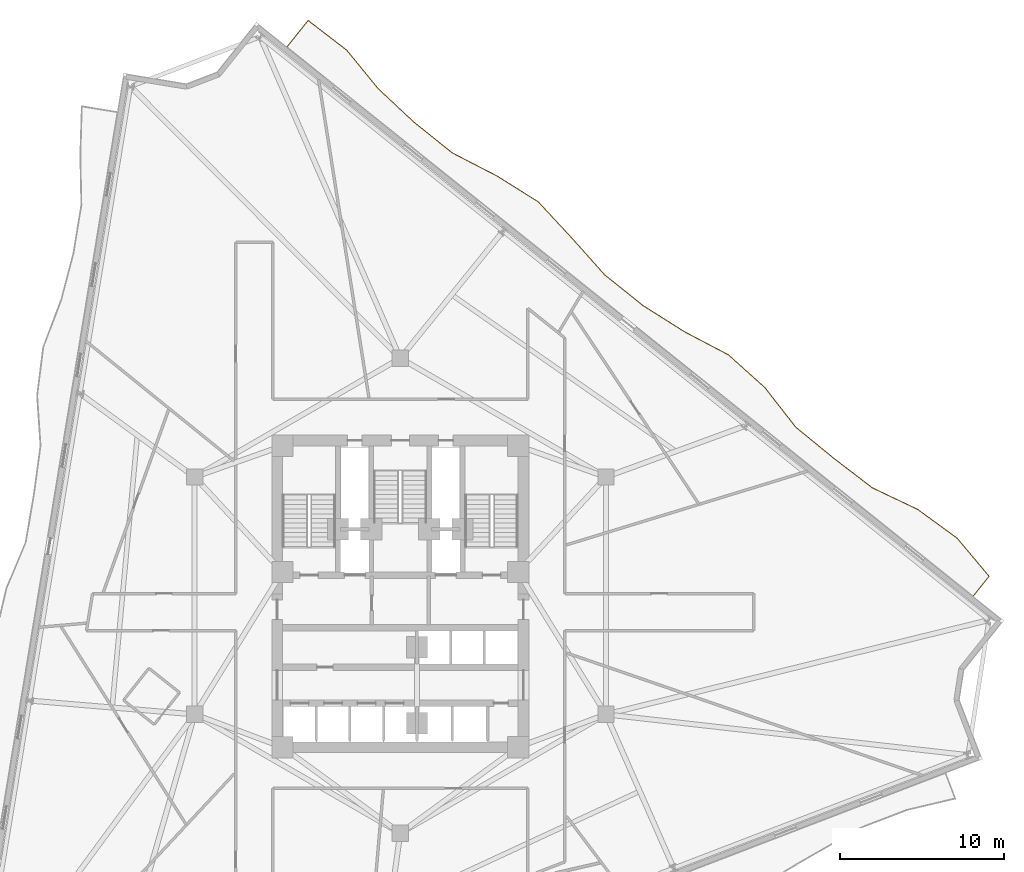
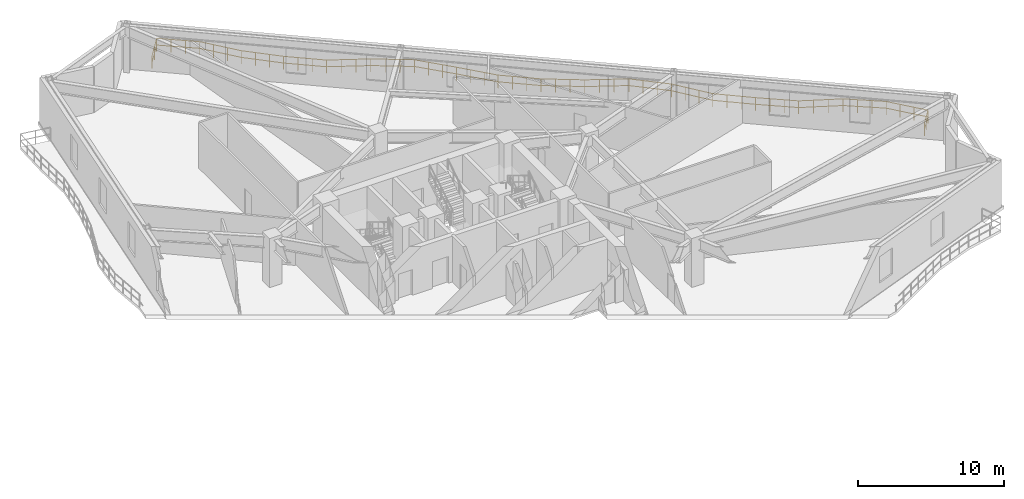
# One storey, part 11 of 11: 1 railing.
"""IFC4 building model written with IfcOpenShell, lengths in metres."""

from ifc_helpers import new_model, si_unit, direction, frame, origin, origin_2d, place, context, subcontext, project, spatial, rectangle, extrude, material, type_object, element, save


model = new_model("IFC4")

# Units and contexts
model_context = context("Model", 3, precision=1e-05, world=origin(), true_north=direction((0.0, 1.0)))
body_context = subcontext(model_context, "Body", "Model", "MODEL_VIEW")
ifc_project = project(units=[si_unit("LENGTHUNIT", "METRE"), si_unit("AREAUNIT", "SQUARE_METRE"), si_unit("VOLUMEUNIT", "CUBIC_METRE"), si_unit("PLANEANGLEUNIT", "RADIAN"), si_unit("MASSUNIT", "GRAM", prefix="KILO")], contexts=[model_context])

# Site, building, storey
site_placement = place(None, origin())
site = spatial("IfcSite", under=ifc_project, at=site_placement, CompositionType="ELEMENT")
building_placement = place(site_placement, origin())
building = spatial("IfcBuilding", under=site, at=building_placement, Name="Apsidion Concourse Tower", CompositionType="ELEMENT")
storey_placement = place(building_placement, frame((0.0, 0.0, 148.60009765625)))
storey = spatial("IfcBuildingStorey", under=building, at=storey_placement, Name="L34", CompositionType="ELEMENT", Elevation=148.60009765625)

# Railing
ifc_material = material(Name="Brushed stainless steel 316", Category="steel")
railing_type = type_object("IfcRailingType", Name="RL-BAL-1120", PredefinedType="BALUSTRADE", material=ifc_material)
railing_placement = place(storey_placement, frame((-6.919189453125, 33.529541015625, 0.0)))
element("IfcRailing", 1, at=railing_placement, inside=storey, type_object=railing_type, Name="L34 Face 3 Rippling Balcony Balustrade", PredefinedType="BALUSTRADE", context=body_context, shape_type="SweptSolid", body=[
    extrude(rectangle(XDim=0.048095703125, YDim=0.048095703125, at=origin_2d()), frame((0.0, 0.0, 1.09619140625), z_axis=(0.62494053656, 0.780672354938, 0.0), x_axis=(-0.780672354938, 0.62494053656, 0.0)), (0.0, 0.0, 1.0), 2.0615234375),
    extrude(rectangle(XDim=0.048095703125, YDim=0.048095703125, at=origin_2d()), frame((0.0, 0.0, 0.5361328125), z_axis=(0.62494053656, 0.780672354938, 0.0), x_axis=(-0.780672354938, 0.62494053656, 0.0)), (0.0, 0.0, 1.0), 2.0615234375),
    extrude(rectangle(XDim=0.048095703125, YDim=0.048095703125, at=origin_2d()), frame((1.288330078125, 1.609375, 1.09619140625), z_axis=(0.792435348239, -0.609955915507, 0.0), x_axis=(0.609955915507, 0.792435348239, 0.0)), (0.0, 0.0, 1.0), 2.983642578125),
    extrude(rectangle(XDim=0.048095703125, YDim=0.048095703125, at=origin_2d()), frame((1.288330078125, 1.609375, 0.5361328125), z_axis=(0.792435348239, -0.609955915507, 0.0), x_axis=(0.609955915507, 0.792435348239, 0.0)), (0.0, 0.0, 1.0), 2.983642578125),
    extrude(rectangle(XDim=0.048095703125, YDim=0.048095703125, at=origin_2d()), frame((3.652587890625, -0.21044921875, 1.09619140625), z_axis=(0.632714613308, -0.774385058034, 0.0), x_axis=(0.774385058034, 0.632714613308, 0.0)), (0.0, 0.0, 1.0), 3.05029296875),
    extrude(rectangle(XDim=0.048095703125, YDim=0.048095703125, at=origin_2d()), frame((3.652587890625, -0.21044921875, 0.5361328125), z_axis=(0.632714613308, -0.774385058034, 0.0), x_axis=(0.774385058034, 0.632714613308, 0.0)), (0.0, 0.0, 1.0), 3.05029296875),
    extrude(rectangle(XDim=0.048095703125, YDim=0.048095703125, at=origin_2d()), frame((5.58251953125, -2.572509765625, 1.09619140625), z_axis=(0.730216258094, -0.683216083252, 0.0), x_axis=(0.683216083252, 0.730216258094, 0.0)), (0.0, 0.0, 1.0), 2.991943359375),
    extrude(rectangle(XDim=0.048095703125, YDim=0.048095703125, at=origin_2d()), frame((5.58251953125, -2.572509765625, 0.5361328125), z_axis=(0.730216258094, -0.683216083252, 0.0), x_axis=(0.683216083252, 0.730216258094, 0.0)), (0.0, 0.0, 1.0), 2.991943359375),
    extrude(rectangle(XDim=0.048095703125, YDim=0.048095703125, at=origin_2d()), frame((7.767333984375, -4.61669921875, 1.09619140625), z_axis=(0.780645180678, -0.624974480987, 0.0), x_axis=(0.624974480987, 0.780645180678, 0.0)), (0.0, 0.0, 1.0), 2.98291015625),
    extrude(rectangle(XDim=0.048095703125, YDim=0.048095703125, at=origin_2d()), frame((7.767333984375, -4.61669921875, 0.5361328125), z_axis=(0.780645180678, -0.624974480987, 0.0), x_axis=(0.624974480987, 0.780645180678, 0.0)), (0.0, 0.0, 1.0), 2.98291015625),
    extrude(rectangle(XDim=0.048095703125, YDim=0.048095703125, at=origin_2d()), frame((10.095947265625, -6.48095703125, 1.09619140625), z_axis=(0.888575291191, -0.458730805467, 0.0), x_axis=(0.458730805467, 0.888575291191, 0.0)), (0.0, 0.0, 1.0), 3.042724609375),
    extrude(rectangle(XDim=0.048095703125, YDim=0.048095703125, at=origin_2d()), frame((10.095947265625, -6.48095703125, 0.5361328125), z_axis=(0.888575291191, -0.458730805467, 0.0), x_axis=(0.458730805467, 0.888575291191, 0.0)), (0.0, 0.0, 1.0), 3.042724609375),
    extrude(rectangle(XDim=0.048095703125, YDim=0.048095703125, at=origin_2d()), frame((12.799560546875, -7.876708984375, 1.09619140625), z_axis=(0.847820138997, -0.530283897466, 0.0), x_axis=(0.530283897466, 0.847820138997, 0.0)), (0.0, 0.0, 1.0), 3.003173828125),
    extrude(rectangle(XDim=0.048095703125, YDim=0.048095703125, at=origin_2d()), frame((12.799560546875, -7.876708984375, 0.5361328125), z_axis=(0.847820138997, -0.530283897466, 0.0), x_axis=(0.530283897466, 0.847820138997, 0.0)), (0.0, 0.0, 1.0), 3.003173828125),
    extrude(rectangle(XDim=0.048095703125, YDim=0.048095703125, at=origin_2d()), frame((15.345703125, -9.46923828125, 1.09619140625), z_axis=(0.680180908596, -0.733044290328, 0.0), x_axis=(0.733044290328, 0.680180908596, 0.0)), (0.0, 0.0, 1.0), 3.015869140625),
    extrude(rectangle(XDim=0.048095703125, YDim=0.048095703125, at=origin_2d()), frame((15.345703125, -9.46923828125, 0.5361328125), z_axis=(0.680180908596, -0.733044290328, 0.0), x_axis=(0.733044290328, 0.680180908596, 0.0)), (0.0, 0.0, 1.0), 3.015869140625),
    extrude(rectangle(XDim=0.048095703125, YDim=0.048095703125, at=origin_2d()), frame((17.39697265625, -11.679931640625, 1.09619140625), z_axis=(0.665645217052, -0.746268346518, 0.0), x_axis=(0.746268346518, 0.665645217052, 0.0)), (0.0, 0.0, 1.0), 3.025146484375),
    extrude(rectangle(XDim=0.048095703125, YDim=0.048095703125, at=origin_2d()), frame((17.39697265625, -11.679931640625, 0.5361328125), z_axis=(0.665645217052, -0.746268346518, 0.0), x_axis=(0.746268346518, 0.665645217052, 0.0)), (0.0, 0.0, 1.0), 3.025146484375),
    extrude(rectangle(XDim=0.048095703125, YDim=0.048095703125, at=origin_2d()), frame((19.41064453125, -13.9375, 1.09619140625), z_axis=(0.780677146016, -0.624934551523, 0.0), x_axis=(0.624934551523, 0.780677146016, 0.0)), (0.0, 0.0, 1.0), 2.983154296875),
    extrude(rectangle(XDim=0.048095703125, YDim=0.048095703125, at=origin_2d()), frame((19.41064453125, -13.9375, 0.5361328125), z_axis=(0.780677146016, -0.624934551523, 0.0), x_axis=(0.624934551523, 0.780677146016, 0.0)), (0.0, 0.0, 1.0), 2.983154296875),
    extrude(rectangle(XDim=0.048095703125, YDim=0.048095703125, at=origin_2d()), frame((21.739501953125, -15.8017578125, 1.09619140625), z_axis=(0.8454985667, -0.533977690273, 0.0), x_axis=(0.533977690273, 0.8454985667, 0.0)), (0.0, 0.0, 1.0), 3.001708984375),
    extrude(rectangle(XDim=0.048095703125, YDim=0.048095703125, at=origin_2d()), frame((21.739501953125, -15.8017578125, 0.5361328125), z_axis=(0.8454985667, -0.533977690273, 0.0), x_axis=(0.533977690273, 0.8454985667, 0.0)), (0.0, 0.0, 1.0), 3.001708984375),
    extrude(rectangle(XDim=0.048095703125, YDim=0.048095703125, at=origin_2d()), frame((24.27734375, -17.404541015625, 1.09619140625), z_axis=(0.885095946994, -0.465408599636, 0.0), x_axis=(0.465408599636, 0.885095946994, 0.0)), (0.0, 0.0, 1.0), 3.038330078125),
    extrude(rectangle(XDim=0.048095703125, YDim=0.048095703125, at=origin_2d()), frame((24.27734375, -17.404541015625, 0.5361328125), z_axis=(0.885095946994, -0.465408599636, 0.0), x_axis=(0.465408599636, 0.885095946994, 0.0)), (0.0, 0.0, 1.0), 3.038330078125),
    extrude(rectangle(XDim=0.048095703125, YDim=0.048095703125, at=origin_2d()), frame((26.966552734375, -18.818603515625, 1.09619140625), z_axis=(0.743655644552, -0.668562848448, 0.0), x_axis=(0.668562848448, 0.743655644552, 0.0)), (0.0, 0.0, 1.0), 2.98779296875),
    extrude(rectangle(XDim=0.048095703125, YDim=0.048095703125, at=origin_2d()), frame((26.966552734375, -18.818603515625, 0.5361328125), z_axis=(0.743655644552, -0.668562848448, 0.0), x_axis=(0.668562848448, 0.743655644552, 0.0)), (0.0, 0.0, 1.0), 2.98779296875),
    extrude(rectangle(XDim=0.048095703125, YDim=0.048095703125, at=origin_2d()), frame((29.1884765625, -20.816162109375, 1.09619140625), z_axis=(0.614877325762, -0.788622770571, 0.0), x_axis=(0.788622770571, 0.614877325762, 0.0)), (0.0, 0.0, 1.0), 3.066162109375),
    extrude(rectangle(XDim=0.048095703125, YDim=0.048095703125, at=origin_2d()), frame((29.1884765625, -20.816162109375, 0.5361328125), z_axis=(0.614877325762, -0.788622770571, 0.0), x_axis=(0.788622770571, 0.614877325762, 0.0)), (0.0, 0.0, 1.0), 3.066162109375),
    extrude(rectangle(XDim=0.048095703125, YDim=0.048095703125, at=origin_2d()), frame((31.07373046875, -23.234130859375, 1.09619140625), z_axis=(0.774092204716, -0.633072869896, 0.0), x_axis=(0.633072869896, 0.774092204716, 0.0)), (0.0, 0.0, 1.0), 2.98291015625),
    extrude(rectangle(XDim=0.048095703125, YDim=0.048095703125, at=origin_2d()), frame((31.07373046875, -23.234130859375, 0.5361328125), z_axis=(0.774092204716, -0.633072869896, 0.0), x_axis=(0.633072869896, 0.774092204716, 0.0)), (0.0, 0.0, 1.0), 2.98291015625),
    extrude(rectangle(XDim=0.048095703125, YDim=0.048095703125, at=origin_2d()), frame((33.3828125, -25.12255859375, 1.09619140625), z_axis=(0.793741984037, -0.60825460358, 0.0), x_axis=(0.60825460358, 0.793741984037, 0.0)), (0.0, 0.0, 1.0), 2.98388671875),
    extrude(rectangle(XDim=0.048095703125, YDim=0.048095703125, at=origin_2d()), frame((33.3828125, -25.12255859375, 0.5361328125), z_axis=(0.793741984037, -0.60825460358, 0.0), x_axis=(0.60825460358, 0.793741984037, 0.0)), (0.0, 0.0, 1.0), 2.98388671875),
    extrude(rectangle(XDim=0.048095703125, YDim=0.048095703125, at=origin_2d()), frame((35.751220703125, -26.9375, 1.09619140625), z_axis=(0.903141601238, -0.429342809551, 0.0), x_axis=(0.429342809551, 0.903141601238, 0.0)), (0.0, 0.0, 1.0), 3.064453125),
    extrude(rectangle(XDim=0.048095703125, YDim=0.048095703125, at=origin_2d()), frame((35.751220703125, -26.9375, 0.5361328125), z_axis=(0.903141601238, -0.429342809551, 0.0), x_axis=(0.429342809551, 0.903141601238, 0.0)), (0.0, 0.0, 1.0), 3.064453125),
    extrude(rectangle(XDim=0.048095703125, YDim=0.048095703125, at=origin_2d()), frame((38.518798828125, -28.253173828125, 1.09619140625), z_axis=(0.807752012452, -0.589522422288, 0.0), x_axis=(0.589522422288, 0.807752012452, 0.0)), (0.0, 0.0, 1.0), 2.98583984375),
    extrude(rectangle(XDim=0.048095703125, YDim=0.048095703125, at=origin_2d()), frame((38.518798828125, -28.253173828125, 0.5361328125), z_axis=(0.807752012452, -0.589522422288, 0.0), x_axis=(0.589522422288, 0.807752012452, 0.0)), (0.0, 0.0, 1.0), 2.98583984375),
    extrude(rectangle(XDim=0.048095703125, YDim=0.048095703125, at=origin_2d()), frame((40.9306640625, -30.013427734375, 1.09619140625), z_axis=(0.642399506266, -0.766369933093, 0.0), x_axis=(0.766369933093, 0.642399506266, 0.0)), (0.0, 0.0, 1.0), 3.042724609375),
    extrude(rectangle(XDim=0.048095703125, YDim=0.048095703125, at=origin_2d()), frame((40.9306640625, -30.013427734375, 0.5361328125), z_axis=(0.642399506266, -0.766369933093, 0.0), x_axis=(0.766369933093, 0.642399506266, 0.0)), (0.0, 0.0, 1.0), 3.042724609375),
    extrude(rectangle(XDim=0.048095703125, YDim=0.048095703125, at=origin_2d()), frame((42.88525390625, -32.34521484375, 1.09619140625), z_axis=(-0.625002337061, -0.780622878648, 0.0), x_axis=(0.780622878648, -0.625002337061, 0.0)), (0.0, 0.0, 1.0), 1.550048828125),
    extrude(rectangle(XDim=0.048095703125, YDim=0.048095703125, at=origin_2d()), frame((42.88525390625, -32.34521484375, 0.5361328125), z_axis=(-0.625002337061, -0.780622878648, 0.0), x_axis=(0.780622878648, -0.625002337061, 0.0)), (0.0, 0.0, 1.0), 1.550048828125),
    extrude(rectangle(XDim=0.0419921875, YDim=0.0419921875, at=origin_2d()), origin(), (0.0, 0.0, 1.0), 1.072021484375),
    extrude(rectangle(XDim=0.0419921875, YDim=0.0419921875, at=origin_2d()), frame((0.64404296875, 0.8046875, 0.0)), (0.0, 0.0, 1.0), 1.072021484375),
    extrude(rectangle(XDim=0.0419921875, YDim=0.0419921875, at=origin_2d()), frame((1.288330078125, 1.609375, 0.0)), (0.0, 0.0, 1.0), 1.072021484375),
    extrude(rectangle(XDim=0.0419921875, YDim=0.0419921875, at=origin_2d()), frame((2.076416015625, 1.002685546875, 0.0)), (0.0, 0.0, 1.0), 1.072021484375),
    extrude(rectangle(XDim=0.0419921875, YDim=0.0419921875, at=origin_2d()), frame((2.864501953125, 0.396240234375, 0.0)), (0.0, 0.0, 1.0), 1.072021484375),
    extrude(rectangle(XDim=0.0419921875, YDim=0.0419921875, at=origin_2d()), frame((3.652587890625, -0.21044921875, 0.0)), (0.0, 0.0, 1.0), 1.072021484375),
    extrude(rectangle(XDim=0.0419921875, YDim=0.0419921875, at=origin_2d()), frame((4.2958984375, -0.997802734375, 0.0)), (0.0, 0.0, 1.0), 1.072021484375),
    extrude(rectangle(XDim=0.0419921875, YDim=0.0419921875, at=origin_2d()), frame((4.939208984375, -1.78515625, 0.0)), (0.0, 0.0, 1.0), 1.072021484375),
    extrude(rectangle(XDim=0.0419921875, YDim=0.0419921875, at=origin_2d()), frame((5.58251953125, -2.572509765625, 0.0)), (0.0, 0.0, 1.0), 1.072021484375),
    extrude(rectangle(XDim=0.0419921875, YDim=0.0419921875, at=origin_2d()), frame((6.310791015625, -3.25390625, 0.0)), (0.0, 0.0, 1.0), 1.072021484375),
    extrude(rectangle(XDim=0.0419921875, YDim=0.0419921875, at=origin_2d()), frame((7.0390625, -3.935302734375, 0.0)), (0.0, 0.0, 1.0), 1.072021484375),
    extrude(rectangle(XDim=0.0419921875, YDim=0.0419921875, at=origin_2d()), frame((7.767333984375, -4.61669921875, 0.0)), (0.0, 0.0, 1.0), 1.072021484375),
    extrude(rectangle(XDim=0.0419921875, YDim=0.0419921875, at=origin_2d()), frame((8.54345703125, -5.238037109375, 0.0)), (0.0, 0.0, 1.0), 1.072021484375),
    extrude(rectangle(XDim=0.0419921875, YDim=0.0419921875, at=origin_2d()), frame((9.31982421875, -5.859619140625, 0.0)), (0.0, 0.0, 1.0), 1.072021484375),
    extrude(rectangle(XDim=0.0419921875, YDim=0.0419921875, at=origin_2d()), frame((10.095947265625, -6.48095703125, 0.0)), (0.0, 0.0, 1.0), 1.072021484375),
    extrude(rectangle(XDim=0.0419921875, YDim=0.0419921875, at=origin_2d()), frame((10.9970703125, -6.9462890625, 0.0)), (0.0, 0.0, 1.0), 1.072021484375),
    extrude(rectangle(XDim=0.0419921875, YDim=0.0419921875, at=origin_2d()), frame((11.8984375, -7.411376953125, 0.0)), (0.0, 0.0, 1.0), 1.072021484375),
    extrude(rectangle(XDim=0.0419921875, YDim=0.0419921875, at=origin_2d()), frame((12.799560546875, -7.876708984375, 0.0)), (0.0, 0.0, 1.0), 1.072021484375),
    extrude(rectangle(XDim=0.0419921875, YDim=0.0419921875, at=origin_2d()), frame((13.648193359375, -8.407470703125, 0.0)), (0.0, 0.0, 1.0), 1.072021484375),
    extrude(rectangle(XDim=0.0419921875, YDim=0.0419921875, at=origin_2d()), frame((14.4970703125, -8.9384765625, 0.0)), (0.0, 0.0, 1.0), 1.072021484375),
    extrude(rectangle(XDim=0.0419921875, YDim=0.0419921875, at=origin_2d()), frame((15.345703125, -9.46923828125, 0.0)), (0.0, 0.0, 1.0), 1.072021484375),
    extrude(rectangle(XDim=0.0419921875, YDim=0.0419921875, at=origin_2d()), frame((16.029541015625, -10.2060546875, 0.0)), (0.0, 0.0, 1.0), 1.072021484375),
    extrude(rectangle(XDim=0.0419921875, YDim=0.0419921875, at=origin_2d()), frame((16.713134765625, -10.943115234375, 0.0)), (0.0, 0.0, 1.0), 1.072021484375),
    extrude(rectangle(XDim=0.0419921875, YDim=0.0419921875, at=origin_2d()), frame((17.39697265625, -11.679931640625, 0.0)), (0.0, 0.0, 1.0), 1.072021484375),
    extrude(rectangle(XDim=0.0419921875, YDim=0.0419921875, at=origin_2d()), frame((18.068115234375, -12.432373046875, 0.0)), (0.0, 0.0, 1.0), 1.072021484375),
    extrude(rectangle(XDim=0.0419921875, YDim=0.0419921875, at=origin_2d()), frame((18.739501953125, -13.18505859375, 0.0)), (0.0, 0.0, 1.0), 1.072021484375),
    extrude(rectangle(XDim=0.0419921875, YDim=0.0419921875, at=origin_2d()), frame((19.41064453125, -13.9375, 0.0)), (0.0, 0.0, 1.0), 1.072021484375),
    extrude(rectangle(XDim=0.0419921875, YDim=0.0419921875, at=origin_2d()), frame((20.18701171875, -14.558837890625, 0.0)), (0.0, 0.0, 1.0), 1.072021484375),
    extrude(rectangle(XDim=0.0419921875, YDim=0.0419921875, at=origin_2d()), frame((20.963134765625, -15.180419921875, 0.0)), (0.0, 0.0, 1.0), 1.072021484375),
    extrude(rectangle(XDim=0.0419921875, YDim=0.0419921875, at=origin_2d()), frame((21.739501953125, -15.8017578125, 0.0)), (0.0, 0.0, 1.0), 1.072021484375),
    extrude(rectangle(XDim=0.0419921875, YDim=0.0419921875, at=origin_2d()), frame((22.58544921875, -16.3359375, 0.0)), (0.0, 0.0, 1.0), 1.072021484375),
    extrude(rectangle(XDim=0.0419921875, YDim=0.0419921875, at=origin_2d()), frame((23.431396484375, -16.870361328125, 0.0)), (0.0, 0.0, 1.0), 1.072021484375),
    extrude(rectangle(XDim=0.0419921875, YDim=0.0419921875, at=origin_2d()), frame((24.27734375, -17.404541015625, 0.0)), (0.0, 0.0, 1.0), 1.072021484375),
    extrude(rectangle(XDim=0.0419921875, YDim=0.0419921875, at=origin_2d()), frame((25.173828125, -17.8759765625, 0.0)), (0.0, 0.0, 1.0), 1.072021484375),
    extrude(rectangle(XDim=0.0419921875, YDim=0.0419921875, at=origin_2d()), frame((26.070068359375, -18.34716796875, 0.0)), (0.0, 0.0, 1.0), 1.072021484375),
    extrude(rectangle(XDim=0.0419921875, YDim=0.0419921875, at=origin_2d()), frame((26.966552734375, -18.818603515625, 0.0)), (0.0, 0.0, 1.0), 1.072021484375),
    extrude(rectangle(XDim=0.0419921875, YDim=0.0419921875, at=origin_2d()), frame((27.707275390625, -19.484375, 0.0)), (0.0, 0.0, 1.0), 1.072021484375),
    extrude(rectangle(XDim=0.0419921875, YDim=0.0419921875, at=origin_2d()), frame((28.44775390625, -20.150390625, 0.0)), (0.0, 0.0, 1.0), 1.072021484375),
    extrude(rectangle(XDim=0.0419921875, YDim=0.0419921875, at=origin_2d()), frame((29.1884765625, -20.816162109375, 0.0)), (0.0, 0.0, 1.0), 1.072021484375),
    extrude(rectangle(XDim=0.0419921875, YDim=0.0419921875, at=origin_2d()), frame((29.81689453125, -21.6220703125, 0.0)), (0.0, 0.0, 1.0), 1.072021484375),
    extrude(rectangle(XDim=0.0419921875, YDim=0.0419921875, at=origin_2d()), frame((30.4453125, -22.42822265625, 0.0)), (0.0, 0.0, 1.0), 1.072021484375),
    extrude(rectangle(XDim=0.0419921875, YDim=0.0419921875, at=origin_2d()), frame((31.07373046875, -23.234130859375, 0.0)), (0.0, 0.0, 1.0), 1.072021484375),
    extrude(rectangle(XDim=0.0419921875, YDim=0.0419921875, at=origin_2d()), frame((31.843505859375, -23.863525390625, 0.0)), (0.0, 0.0, 1.0), 1.072021484375),
    extrude(rectangle(XDim=0.0419921875, YDim=0.0419921875, at=origin_2d()), frame((32.613037109375, -24.4931640625, 0.0)), (0.0, 0.0, 1.0), 1.072021484375),
    extrude(rectangle(XDim=0.0419921875, YDim=0.0419921875, at=origin_2d()), frame((33.3828125, -25.12255859375, 0.0)), (0.0, 0.0, 1.0), 1.072021484375),
    extrude(rectangle(XDim=0.0419921875, YDim=0.0419921875, at=origin_2d()), frame((34.17236328125, -25.7275390625, 0.0)), (0.0, 0.0, 1.0), 1.072021484375),
    extrude(rectangle(XDim=0.0419921875, YDim=0.0419921875, at=origin_2d()), frame((34.961669921875, -26.33251953125, 0.0)), (0.0, 0.0, 1.0), 1.072021484375),
    extrude(rectangle(XDim=0.0419921875, YDim=0.0419921875, at=origin_2d()), frame((35.751220703125, -26.9375, 0.0)), (0.0, 0.0, 1.0), 1.072021484375),
    extrude(rectangle(XDim=0.0419921875, YDim=0.0419921875, at=origin_2d()), frame((36.673828125, -27.3759765625, 0.0)), (0.0, 0.0, 1.0), 1.072021484375),
    extrude(rectangle(XDim=0.0419921875, YDim=0.0419921875, at=origin_2d()), frame((37.59619140625, -27.814697265625, 0.0)), (0.0, 0.0, 1.0), 1.072021484375),
    extrude(rectangle(XDim=0.0419921875, YDim=0.0419921875, at=origin_2d()), frame((38.518798828125, -28.253173828125, 0.0)), (0.0, 0.0, 1.0), 1.072021484375),
    extrude(rectangle(XDim=0.0419921875, YDim=0.0419921875, at=origin_2d()), frame((39.32275390625, -28.83984375, 0.0)), (0.0, 0.0, 1.0), 1.072021484375),
    extrude(rectangle(XDim=0.0419921875, YDim=0.0419921875, at=origin_2d()), frame((40.126708984375, -29.4267578125, 0.0)), (0.0, 0.0, 1.0), 1.072021484375),
    extrude(rectangle(XDim=0.0419921875, YDim=0.0419921875, at=origin_2d()), frame((40.9306640625, -30.013427734375, 0.0)), (0.0, 0.0, 1.0), 1.072021484375),
    extrude(rectangle(XDim=0.0419921875, YDim=0.0419921875, at=origin_2d()), frame((41.582275390625, -30.790771484375, 0.0)), (0.0, 0.0, 1.0), 1.072021484375),
    extrude(rectangle(XDim=0.0419921875, YDim=0.0419921875, at=origin_2d()), frame((42.233642578125, -31.56787109375, 0.0)), (0.0, 0.0, 1.0), 1.072021484375),
    extrude(rectangle(XDim=0.0419921875, YDim=0.0419921875, at=origin_2d()), frame((42.88525390625, -32.34521484375, 0.0)), (0.0, 0.0, 1.0), 1.072021484375),
    extrude(rectangle(XDim=0.0419921875, YDim=0.0419921875, at=origin_2d()), frame((42.40087890625, -32.9501953125, 0.0)), (0.0, 0.0, 1.0), 1.072021484375),
    extrude(rectangle(XDim=0.0419921875, YDim=0.0419921875, at=origin_2d()), frame((41.91650390625, -33.55517578125, 0.0)), (0.0, 0.0, 1.0), 1.072021484375),
])

save(model, "model.ifc")
